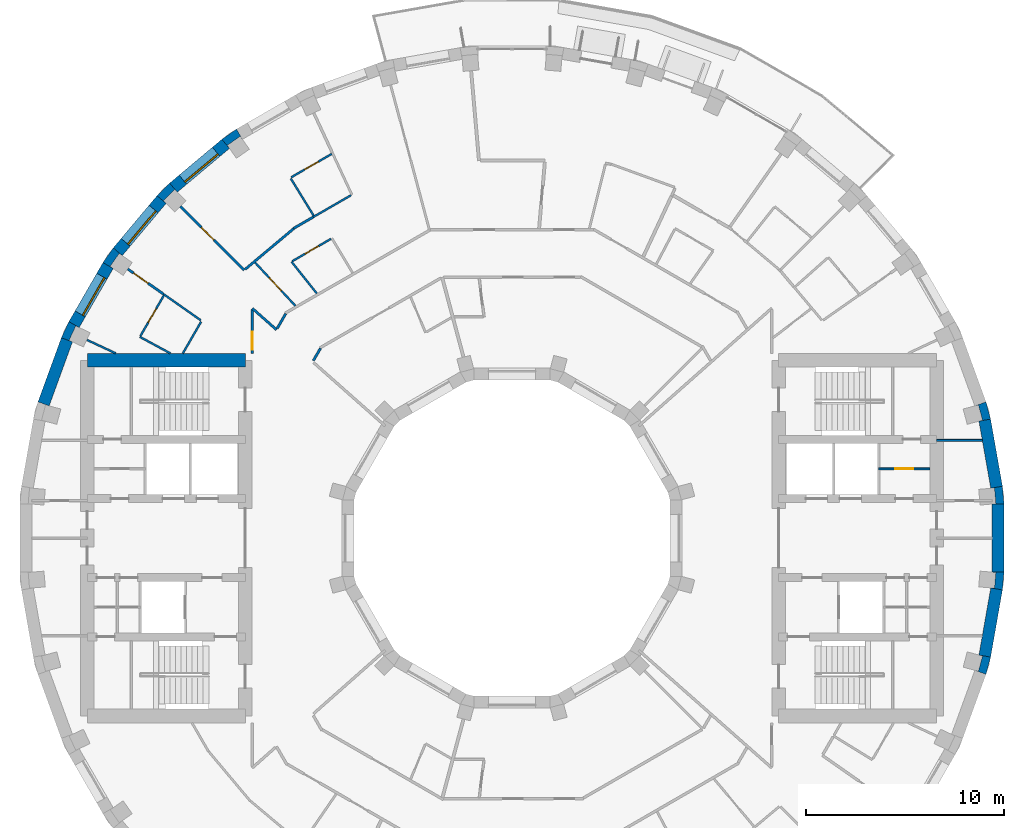
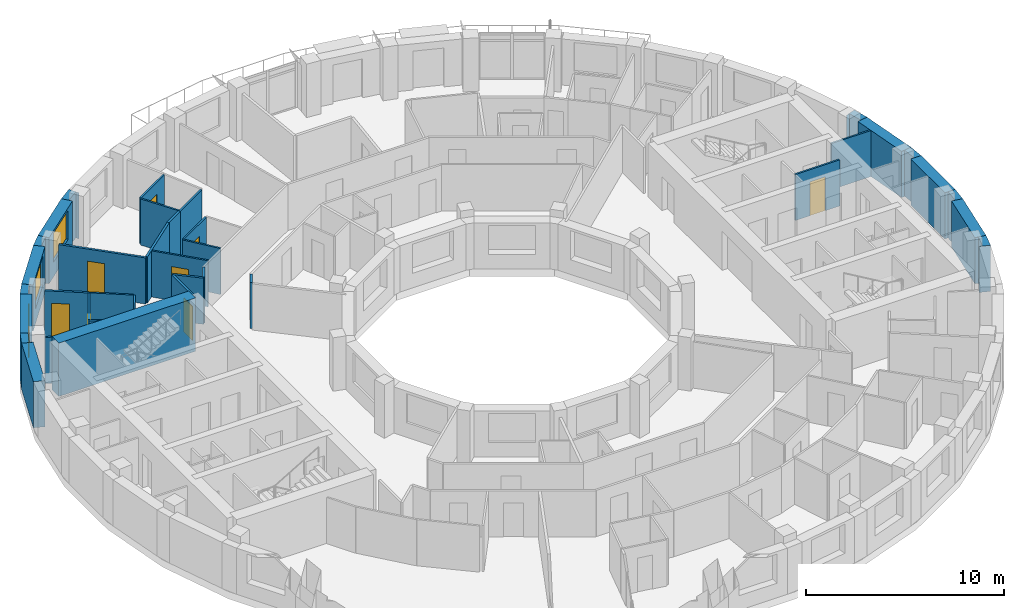
# One storey, part 9 of 13: 37 walls, 8 doors, 3 windows, 11 openings.
"""IFC4 building model written with IfcOpenShell, lengths in metres."""

import ifcopenshell
import ifcopenshell.guid

model = None  # the IFC model being written
_history = None  # IfcOwnerHistory: only IFC2X3 demands one
_inside = {}  # id of a spatial element -> (the spatial element, [elements in it])
_under = {}  # id of a project, library or spatial element -> (it, [spatial elements below it])
_declared = {}  # id of a project -> (the project, [libraries it declares])
_typed = {}  # id of a type object -> (the type object, [elements of that type])
_made_of = {}  # id of a material, layer set ... -> (it, [elements and type objects made of it])


def new_model(schema):
    """Start an empty IFC model of exactly this schema.

    Asked for "IFC4X3", IfcOpenShell would pick the latest addendum, in which some entities
    have other attributes; the version numbers below select the first issue.
    IFC2X3 requires an IfcOwnerHistory on every rooted entity: one is made here for all.
    """
    global model, _history
    if schema == "IFC4X3":
        model = ifcopenshell.file(schema_version=(4, 3, 0, 0))
    else:
        model = ifcopenshell.file(schema=schema)
    _inside.clear()
    _under.clear()
    _declared.clear()
    _typed.clear()
    _made_of.clear()
    _history = None
    if model.schema == "IFC2X3":
        org = make("IfcOrganization", Name="unknown")
        user = make(
            "IfcPersonAndOrganization",
            ThePerson=make("IfcPerson", FamilyName="unknown"),
            TheOrganization=org,
        )
        app = make(
            "IfcApplication",
            ApplicationDeveloper=org,
            Version="unknown",
            ApplicationFullName="unknown",
            ApplicationIdentifier="unknown",
        )
        _history = make(
            "IfcOwnerHistory",
            OwningUser=user,
            OwningApplication=app,
            ChangeAction="ADDED",
            CreationDate=0,
        )
    return model


def make(cls, **values):
    """One entity of the class cls with the attributes given. An attribute that is None is left unset."""
    return model.create_entity(
        cls, **{name: value for name, value in values.items() if value is not None}
    )


def rooted(cls, **values):
    """An entity with a GlobalId (a new one), such as an element, a storey or a relation."""
    return make(cls, GlobalId=ifcopenshell.guid.new(), OwnerHistory=_history, **values)


def si_unit(unit_type, name, prefix=None):
    """IfcSIUnit, for example si_unit("LENGTHUNIT", "METRE", prefix="MILLI")."""
    return make("IfcSIUnit", UnitType=unit_type, Prefix=prefix, Name=name)


def assignment(units):
    """IfcUnitAssignment: the units of a project."""
    return None if units is None else make("IfcUnitAssignment", Units=units)


def point(xyz):
    """IfcCartesianPoint."""
    return None if xyz is None else make("IfcCartesianPoint", Coordinates=xyz)


def direction(xyz):
    """IfcDirection."""
    return None if xyz is None else make("IfcDirection", DirectionRatios=xyz)


def frame(location, z_axis=None, x_axis=None):
    """IfcAxis2Placement3D, a coordinate frame: its origin and axes. An axis left out is left unset."""
    return make(
        "IfcAxis2Placement3D",
        Location=point(location),
        Axis=direction(z_axis),
        RefDirection=direction(x_axis),
    )


def frame_2d(location, x_axis=None):
    """IfcAxis2Placement2D, a coordinate frame in the plane: its origin and x axis."""
    return make(
        "IfcAxis2Placement2D", Location=point(location), RefDirection=direction(x_axis)
    )


def origin():
    """The frame at (0, 0, 0) with its axes left unset."""
    return frame((0.0, 0.0, 0.0))


def place(relative_to, where):
    """IfcLocalPlacement: puts the frame where relative to a parent placement (None: the world)."""
    return make(
        "IfcLocalPlacement", PlacementRelTo=relative_to, RelativePlacement=where
    )


def context(
    kind, dimensions, precision=None, world=None, true_north=None, identifier=None
):
    """IfcGeometricRepresentationContext, for example the 3D "Model" context."""
    return make(
        "IfcGeometricRepresentationContext",
        ContextIdentifier=identifier,
        ContextType=kind,
        CoordinateSpaceDimension=dimensions,
        Precision=precision,
        WorldCoordinateSystem=world,
        TrueNorth=true_north,
    )


def subcontext(parent, identifier, kind, view, scale=None):
    """IfcGeometricRepresentationSubContext, for example "Body" below "Model"."""
    return make(
        "IfcGeometricRepresentationSubContext",
        ContextIdentifier=identifier,
        ContextType=kind,
        ParentContext=parent,
        TargetScale=scale,
        TargetView=view,
    )


def project(units=None, contexts=None):
    """IfcProject with its units and contexts."""
    return rooted(
        "IfcProject",
        Name="project",
        RepresentationContexts=contexts,
        UnitsInContext=assignment(units),
    )


def spatial(cls, under=None, at=None, **own):
    """A site, building, storey or space (cls), placed at a placement, below another one or the project."""
    s = rooted(cls, ObjectPlacement=at, **own)
    if under is not None:
        _under.setdefault(under.id(), (under, []))[1].append(s)
    return s


def polyline(points):
    """IfcPolyline through the points."""
    return make("IfcPolyline", Points=[point(p) for p in points])


def profile(cls, at=None, kind="AREA", **sizes):
    """A parametric profile (cls). Its sizes go by their IFC names, for example OverallWidth=200.0."""
    return make(cls, ProfileType=kind, Position=at, **sizes)


def rectangle(**sizes):
    """IfcRectangleProfileDef."""
    return profile("IfcRectangleProfileDef", **sizes)


def outline(outer, holes=None, kind="AREA"):
    """IfcArbitraryClosedProfileDef: a profile drawn as a closed curve; with holes, ...WithVoids."""
    if holes is None:
        return make("IfcArbitraryClosedProfileDef", ProfileType=kind, OuterCurve=outer)
    return make(
        "IfcArbitraryProfileDefWithVoids",
        ProfileType=kind,
        OuterCurve=outer,
        InnerCurves=holes,
    )


def extrude(swept, where, along, depth):
    """IfcExtrudedAreaSolid: the profile swept, set in the frame where, extruded along a direction by depth."""
    return make(
        "IfcExtrudedAreaSolid",
        SweptArea=swept,
        Position=where,
        ExtrudedDirection=direction(along),
        Depth=depth,
    )


def shape(context_of_items, identifier, shape_type, items):
    """IfcShapeRepresentation: the items that make up one representation, for example the "Body"."""
    return make(
        "IfcShapeRepresentation",
        ContextOfItems=context_of_items,
        RepresentationIdentifier=identifier,
        RepresentationType=shape_type,
        Items=items,
    )


def material(Name=None, Category=None):
    """IfcMaterial."""
    return make("IfcMaterial", Name=Name, Category=Category)


def layer(
    of_material, thickness, ventilated=None, Name=None, Category=None, Priority=None
):
    """IfcMaterialLayer: one layer of a wall or slab, of a material (None: an air gap)."""
    return make(
        "IfcMaterialLayer",
        Material=of_material,
        LayerThickness=thickness,
        IsVentilated=ventilated,
        Name=Name,
        Category=Category,
        Priority=Priority,
    )


def layer_set(layers, Name=None):
    """IfcMaterialLayerSet."""
    return make("IfcMaterialLayerSet", MaterialLayers=layers, LayerSetName=Name)


def made_of(thing, what):
    """Note that an element or type object is made of a material, layer set ...; save() writes the relation."""
    if what is not None:
        _made_of.setdefault(what.id(), (what, []))[1].append(thing)
    return thing


def type_object(cls, material=None, **own):
    """A type object (cls), such as IfcWallType, which elements share."""
    return made_of(rooted(cls, **own), material)


def element(
    cls,
    number,
    at=None,
    inside=None,
    cuts=None,
    type_object=None,
    material=None,
    context=None,
    identifier="Body",
    shape_type=None,
    held_by="IfcProductDefinitionShape",
    body=None,
    shapes=None,
    **own,
):
    """One element of the class cls, such as IfcWall. Its Tag is "e" and its number.

    at: its placement. inside: the storey or other place that contains it. cuts: it is an
    opening in that element (IfcRelVoidsElement). A single representation is given by context,
    identifier, shape_type and body (its items); several are given by shapes. held_by: the class
    of the entity that holds the representations. save() writes the other relations.
    """
    e = rooted(cls, Tag="e%d" % number, ObjectPlacement=at, **own)
    if body is not None:
        shapes = [shape(context, identifier, shape_type, body)]
    if shapes is not None:
        e.Representation = make(held_by, Representations=shapes)
    if inside is not None:
        _inside.setdefault(inside.id(), (inside, []))[1].append(e)
    if cuts is not None:
        rooted(
            "IfcRelVoidsElement", RelatingBuildingElement=cuts, RelatedOpeningElement=e
        )
    if type_object is not None:
        _typed.setdefault(type_object.id(), (type_object, []))[1].append(e)
    return made_of(e, material)


def fill(opening, filler):
    """IfcRelFillsElement: the door or window that sits in an opening."""
    return rooted(
        "IfcRelFillsElement",
        RelatingOpeningElement=opening,
        RelatedBuildingElement=filler,
    )


def aggregate(whole, parts):
    """IfcRelAggregates: a whole, such as a stair, and the parts it consists of."""
    return rooted("IfcRelAggregates", RelatingObject=whole, RelatedObjects=parts)


def save(model, path):
    """Write the relations noted so far, then the file.

    IfcRelAggregates (storeys below a building ...), IfcRelContainedInSpatialStructure (elements
    in a storey), IfcRelDefinesByType, IfcRelAssociatesMaterial and IfcRelDeclares: one each for
    every whole, place, type object, material and project.
    """
    for whole, parts in _under.values():
        aggregate(whole, parts)
    for where, things in _inside.values():
        rooted(
            "IfcRelContainedInSpatialStructure",
            RelatedElements=things,
            RelatingStructure=where,
        )
    for kind, things in _typed.values():
        rooted("IfcRelDefinesByType", RelatedObjects=things, RelatingType=kind)
    for what, things in _made_of.values():
        rooted("IfcRelAssociatesMaterial", RelatedObjects=things, RelatingMaterial=what)
    for by, libraries in _declared.values():
        rooted("IfcRelDeclares", RelatingContext=by, RelatedDefinitions=libraries)
    model.write(path)


model = new_model("IFC4")

# Units and contexts
model_context = context("Model", 3, precision=1e-05, world=origin(), true_north=direction((0.0, 1.0)))
body_context = subcontext(model_context, "Body", "Model", "MODEL_VIEW")
ifc_project = project(units=[si_unit("LENGTHUNIT", "METRE"), si_unit("AREAUNIT", "SQUARE_METRE"), si_unit("VOLUMEUNIT", "CUBIC_METRE"), si_unit("PLANEANGLEUNIT", "RADIAN"), si_unit("MASSUNIT", "GRAM", prefix="KILO")], contexts=[model_context])

# Site, building, storey
site_placement = place(None, origin())
site = spatial("IfcSite", under=ifc_project, at=site_placement, CompositionType="ELEMENT")
building_placement = place(site_placement, origin())
building = spatial("IfcBuilding", under=site, at=building_placement, Name="Saqina Gate Tower", CompositionType="ELEMENT")
storey_placement = place(building_placement, frame((0.0, 0.0, 200.39990234375)))
storey = spatial("IfcBuildingStorey", under=building, at=storey_placement, Name="L57", CompositionType="ELEMENT", Elevation=200.39990234375)

# Walls
ifc_material_1 = material(Name="Brick masonry (buff)", Category="masonry")
wall_type_1 = type_object("IfcWallType", Name="BRICK PIER COPING BUFF", PredefinedType="SOLIDWALL", material=ifc_material_1)
wall_1_placement = place(storey_placement, origin())
element("IfcWall", 1, at=wall_1_placement, inside=storey, type_object=wall_type_1, Name="Pier cap L57 column 1", PredefinedType="SOLIDWALL", context=body_context, shape_type="SweptSolid", body=[
    extrude(outline(polyline([(24.90478515625, 1.724853515625), (24.825927734375, 2.6259765625), (24.235107421875, 2.521728515625), (24.421630859375, 2.5380859375), (24.491455078125, 1.7412109375), (24.304931640625, 1.724853515625), (24.90478515625, 1.724853515625)])), origin(), (0.0, 0.0, 1.0), 2.85009765625),
])
wall_2_placement = place(storey_placement, origin())
element("IfcWall", 2, at=wall_2_placement, inside=storey, type_object=wall_type_1, Name="Pier cap L57 column 2", PredefinedType="SOLIDWALL", context=body_context, shape_type="SweptSolid", body=[
    extrude(outline(polyline([(24.22705078125, 6.0234375), (23.992919921875, 6.897216796875), (23.428955078125, 6.69189453125), (23.610107421875, 6.740478515625), (23.81689453125, 5.967529296875), (23.635986328125, 5.919189453125), (24.22705078125, 6.0234375)])), origin(), (0.0, 0.0, 1.0), 2.85009765625),
])
wall_3_placement = place(storey_placement, origin())
element("IfcWall", 3, at=wall_3_placement, inside=storey, type_object=wall_type_1, Name="Pier cap L57 column 13", PredefinedType="SOLIDWALL", context=body_context, shape_type="SweptSolid", body=[
    extrude(outline(polyline([(-13.9462890625, 20.705810546875), (-14.687255859375, 20.18701171875), (-14.301513671875, 19.727294921875), (-14.408935546875, 19.880859375), (-13.753662109375, 20.339599609375), (-13.646240234375, 20.186279296875), (-13.9462890625, 20.705810546875)])), origin(), (0.0, 0.0, 1.0), 2.85009765625),
])
wall_4_placement = place(storey_placement, origin())
element("IfcWall", 4, at=wall_4_placement, inside=storey, type_object=wall_type_1, Name="Pier cap L57 column 14", PredefinedType="SOLIDWALL", context=body_context, shape_type="SweptSolid", body=[
    extrude(outline(polyline([(-17.969482421875, 17.329833984375), (-17.510009765625, 16.944091796875), (-17.642333984375, 17.07666015625), (-17.07666015625, 17.642333984375), (-16.944091796875, 17.510009765625), (-17.329833984375, 17.969482421875), (-17.969482421875, 17.329833984375)])), origin(), (0.0, 0.0, 1.0), 2.85009765625),
])
wall_5_placement = place(storey_placement, origin())
element("IfcWall", 5, at=wall_5_placement, inside=storey, type_object=wall_type_1, Name="Pier cap L57 column 15", PredefinedType="SOLIDWALL", context=body_context, shape_type="SweptSolid", body=[
    extrude(outline(polyline([(-20.18701171875, 14.687255859375), (-20.705810546875, 13.9462890625), (-20.186279296875, 13.646240234375), (-20.339599609375, 13.753662109375), (-19.880859375, 14.408935546875), (-19.727294921875, 14.301513671875), (-20.18701171875, 14.687255859375)])), origin(), (0.0, 0.0, 1.0), 2.85009765625),
])
wall_6_placement = place(storey_placement, origin())
element("IfcWall", 6, at=wall_6_placement, inside=storey, type_object=wall_type_1, Name="Pier cap L57 column 16", PredefinedType="SOLIDWALL", context=body_context, shape_type="SweptSolid", body=[
    extrude(outline(polyline([(-22.81298828125, 10.138916015625), (-22.249267578125, 9.93359375), (-22.4189453125, 10.0126953125), (-22.080810546875, 10.73779296875), (-21.9111328125, 10.65869140625), (-22.4306640625, 10.958740234375), (-22.81298828125, 10.138916015625)])), origin(), (0.0, 0.0, 1.0), 2.85009765625),
])
wall_7_placement = place(storey_placement, origin())
element("IfcWall", 7, at=wall_7_placement, inside=storey, type_object=wall_type_1, Name="Pier cap L57 column 35", PredefinedType="SOLIDWALL", context=body_context, shape_type="SweptSolid", body=[
    extrude(outline(polyline([(24.22705078125, -6.0234375), (23.635986328125, -5.919189453125), (23.81689453125, -5.967529296875), (23.610107421875, -6.740478515625), (23.428955078125, -6.69189453125), (23.992919921875, -6.897216796875), (24.22705078125, -6.0234375)])), origin(), (0.0, 0.0, 1.0), 2.85009765625),
])
wall_8_placement = place(storey_placement, origin())
element("IfcWall", 8, at=wall_8_placement, inside=storey, type_object=wall_type_1, Name="Pier cap L57 column 36", PredefinedType="SOLIDWALL", context=body_context, shape_type="SweptSolid", body=[
    extrude(outline(polyline([(24.825927734375, -2.6259765625), (24.90478515625, -1.724853515625), (24.304931640625, -1.724853515625), (24.491455078125, -1.7412109375), (24.421630859375, -2.5380859375), (24.235107421875, -2.521728515625), (24.825927734375, -2.6259765625)])), origin(), (0.0, 0.0, 1.0), 2.85009765625),
])
ifc_material_2 = material(Name="Gypsum board on steel studs", Category="steel")
ifc_layer_1 = layer(ifc_material_2, 0.10009765625)
ifc_layer_set_1 = layer_set([ifc_layer_1], Name="CORE PARTITION")
wall_type_2 = type_object("IfcWallType", Name="CORE PARTITION", PredefinedType="PARTITIONING", material=ifc_layer_set_1)
wall_9_placement = place(storey_placement, frame((21.5, 4.949951171875, 0.0), z_axis=(0.0, 0.0, 1.0), x_axis=(1.0, 0.0, 0.0)))
element("IfcWall", 9, at=wall_9_placement, inside=storey, type_object=wall_type_2, Name="L57-CP-E01", PredefinedType="PARTITIONING", context=body_context, shape_type="SweptSolid", body=[
    extrude(rectangle(XDim=2.306884765625, YDim=0.10009765625, at=frame_2d((1.1533203125, 0.0))), origin(), (0.0, 0.0, 1.0), 2.85009765625),
])

# Wall, opening, door
wall_10_placement = place(storey_placement, frame((18.56005859375, 3.5, 0.0), z_axis=(0.0, 0.0, 1.0), x_axis=(1.0, 0.0, 0.0)))
wall_10 = element("IfcWall", 10, at=wall_10_placement, inside=storey, type_object=wall_type_2, Name="L57-CP-E10", PredefinedType="PARTITIONING", context=body_context, shape_type="SweptSolid", body=[
    extrude(rectangle(XDim=2.58984375, YDim=0.10009765625, at=frame_2d((1.294921875, 0.0))), origin(), (0.0, 0.0, 1.0), 2.85009765625),
])
opening_1_placement = place(wall_10_placement, frame((0.844970703125, 0.0, 0.0)))
opening_1 = element("IfcOpeningElement", 11, at=opening_1_placement, cuts=wall_10, Name="Opening G17-D97", PredefinedType="OPENING", context=body_context, shape_type="SweptSolid", body=[
    extrude(rectangle(XDim=0.89990234375, YDim=2.10009765625, at=frame_2d((0.449951171875, 1.050048828125))), frame((0.0, 0.06201171875, 0.0), z_axis=(0.0, -1.0, 0.0), x_axis=(1.0, 0.0, 0.0)), (0.0, 0.0, 1.0), 0.1240234375),
])
ifc_material_3 = material(Name="Steel-framed fire door leaf, EI 60", Category="steel")
door_type_1 = type_object("IfcDoorType", Name="SERVICE ROOM DOOR 900", OperationType="SINGLE_SWING_LEFT", PredefinedType="DOOR", material=ifc_material_3)
door_1_placement = place(opening_1_placement, origin())
door_1 = element("IfcDoor", 12, at=door_1_placement, inside=storey, type_object=door_type_1, Name="L57-CD-E08", OperationType="SINGLE_SWING_RIGHT", OverallHeight=2.10009765625, OverallWidth=0.89990234375, PredefinedType="DOOR", context=body_context, shape_type="SweptSolid", body=[
    extrude(rectangle(XDim=0.89990234375, YDim=2.10009765625, at=frame_2d((0.449951171875, 1.050048828125))), frame((0.0, 0.02490234375, 0.0), z_axis=(0.0, -1.0, 0.0), x_axis=(1.0, 0.0, 0.0)), (0.0, 0.0, 1.0), 0.050048828125),
])
fill(opening_1, door_1)

# Wall, opening, window
ifc_material_4 = material(Name="Brick masonry (buff)", Category="masonry")
ifc_layer_2 = layer(ifc_material_4, 0.60009765625)
ifc_layer_set_2 = layer_set([ifc_layer_2], Name="FW-BRICK-BUFF")
wall_type_3 = type_object("IfcWallType", Name="FW-BRICK-BUFF", PredefinedType="SOLIDWALL", material=ifc_layer_set_2)
wall_11_placement = place(storey_placement, frame((-14.494384765625, 19.95703125, 0.0), z_axis=(0.0, 0.0, 1.0), x_axis=(-0.766058884809, -0.642770398358, 0.0)))
wall_11 = element("IfcWall", 13, at=wall_11_placement, inside=storey, type_object=wall_type_3, Name="Facade wall L57 facet 13", PredefinedType="SOLIDWALL", context=body_context, shape_type="SweptSolid", body=[
    extrude(rectangle(XDim=3.449462890625, YDim=0.60009765625, at=frame_2d((1.724609375, 0.0))), origin(), (0.0, 0.0, 1.0), 2.85009765625),
])
opening_2_placement = place(wall_11_placement, frame((0.625, 0.0, 0.89990234375)))
opening_2 = element("IfcOpeningElement", 14, at=opening_2_placement, cuts=wall_11, Name="Opening G17-W07", PredefinedType="OPENING", context=body_context, shape_type="SweptSolid", body=[
    extrude(rectangle(XDim=2.199951171875, YDim=1.800048828125, at=frame_2d((1.10009765625, 0.89990234375))), frame((0.0, 0.31201171875, 0.0), z_axis=(0.0, -1.0, 0.0), x_axis=(1.0, 0.0, 0.0)), (0.0, 0.0, 1.0), 0.6240234375),
])
ifc_material_5 = material(Name="Aluminium glazing", Category="aluminium")
window_type = type_object("IfcWindowType", Name="WN-C", PartitioningType="SINGLE_PANEL", PredefinedType="WINDOW", material=ifc_material_5)
window_1_placement = place(opening_2_placement, origin())
window_1 = element("IfcWindow", 15, at=window_1_placement, inside=storey, type_object=window_type, Name="Window L57 facet 13", OverallHeight=1.800048828125, OverallWidth=2.199951171875, PartitioningType="SINGLE_PANEL", PredefinedType="WINDOW", context=body_context, shape_type="SweptSolid", body=[
    extrude(rectangle(XDim=2.199951171875, YDim=1.800048828125, at=frame_2d((1.10009765625, 0.89990234375))), frame((0.0, 0.179931640625, 0.0), z_axis=(0.0, -1.0, 0.0), x_axis=(1.0, 0.0, 0.0)), (0.0, 0.0, 1.0), 0.06005859375),
])
fill(opening_2, window_1)

wall_12_placement = place(storey_placement, frame((-17.73974609375, 17.136962890625, 0.0), z_axis=(0.0, 0.0, 1.0), x_axis=(-0.642770398358, -0.766058884809, 0.0)))
wall_12 = element("IfcWall", 16, at=wall_12_placement, inside=storey, type_object=wall_type_3, Name="Facade wall L57 facet 14", PredefinedType="SOLIDWALL", context=body_context, shape_type="SweptSolid", body=[
    extrude(rectangle(XDim=3.449462890625, YDim=0.60009765625, at=frame_2d((1.724609375, 0.0))), origin(), (0.0, 0.0, 1.0), 2.85009765625),
])
opening_3_placement = place(wall_12_placement, frame((0.625, 0.0, 0.89990234375)))
opening_3 = element("IfcOpeningElement", 17, at=opening_3_placement, cuts=wall_12, Name="Opening G17-W08", PredefinedType="OPENING", context=body_context, shape_type="SweptSolid", body=[
    extrude(rectangle(XDim=2.199951171875, YDim=1.800048828125, at=frame_2d((1.10009765625, 0.89990234375))), frame((0.0, 0.31201171875, 0.0), z_axis=(0.0, -1.0, 0.0), x_axis=(1.0, 0.0, 0.0)), (0.0, 0.0, 1.0), 0.6240234375),
])
window_2_placement = place(opening_3_placement, origin())
window_2 = element("IfcWindow", 18, at=window_2_placement, inside=storey, type_object=window_type, Name="Window L57 facet 14", OverallHeight=1.800048828125, OverallWidth=2.199951171875, PartitioningType="SINGLE_PANEL", PredefinedType="WINDOW", context=body_context, shape_type="SweptSolid", body=[
    extrude(rectangle(XDim=2.199951171875, YDim=1.800048828125, at=frame_2d((1.10009765625, 0.89990234375))), frame((0.0, 0.179931640625, 0.0), z_axis=(0.0, -1.0, 0.0), x_axis=(1.0, 0.0, 0.0)), (0.0, 0.0, 1.0), 0.06005859375),
])
fill(opening_3, window_2)

wall_13_placement = place(storey_placement, frame((-20.446044921875, 13.796142578125, 0.0), z_axis=(0.0, 0.0, 1.0), x_axis=(-0.499998129301, -0.86602648383, 0.0)))
wall_13 = element("IfcWall", 19, at=wall_13_placement, inside=storey, type_object=wall_type_3, Name="Facade wall L57 facet 15", PredefinedType="SOLIDWALL", context=body_context, shape_type="SweptSolid", body=[
    extrude(rectangle(XDim=3.44970703125, YDim=0.60009765625, at=frame_2d((1.724853515625, 0.0))), origin(), (0.0, 0.0, 1.0), 2.85009765625),
])
opening_4_placement = place(wall_13_placement, frame((0.625, 0.0, 0.89990234375)))
opening_4 = element("IfcOpeningElement", 20, at=opening_4_placement, cuts=wall_13, Name="Opening G17-W09", PredefinedType="OPENING", context=body_context, shape_type="SweptSolid", body=[
    extrude(rectangle(XDim=2.199951171875, YDim=1.800048828125, at=frame_2d((1.10009765625, 0.89990234375))), frame((0.0, 0.31201171875, 0.0), z_axis=(0.0, -1.0, 0.0), x_axis=(1.0, 0.0, 0.0)), (0.0, 0.0, 1.0), 0.6240234375),
])
window_3_placement = place(opening_4_placement, origin())
window_3 = element("IfcWindow", 21, at=window_3_placement, inside=storey, type_object=window_type, Name="Window L57 facet 15", OverallHeight=1.800048828125, OverallWidth=2.199951171875, PartitioningType="SINGLE_PANEL", PredefinedType="WINDOW", context=body_context, shape_type="SweptSolid", body=[
    extrude(rectangle(XDim=2.199951171875, YDim=1.800048828125, at=frame_2d((1.10009765625, 0.89990234375))), frame((0.0, 0.179931640625, 0.0), z_axis=(0.0, -1.0, 0.0), x_axis=(1.0, 0.0, 0.0)), (0.0, 0.0, 1.0), 0.06005859375),
])
fill(opening_4, window_3)

# Walls
ifc_material_6 = material(Name="Glazed ceramic tile", Category="ceramic")
ifc_layer_3 = layer(ifc_material_6, 0.60009765625)
ifc_layer_set_3 = layer_set([ifc_layer_3], Name="FW-TILE")
wall_type_4 = type_object("IfcWallType", Name="FW-TILE", PredefinedType="SOLIDWALL", material=ifc_layer_set_3)
for number, where, z_axis, x_axis, name in (
    (22, (-22.531005859375, 10.0361328125, 0.0), (0.0, 0.0, 1.0), (-0.342032843455, -0.93968799822, 0.0), "Facade wall L57 facet 16"),
    (23, (24.60498046875, -1.724853515625, 0.0), (0.0, 0.0, 1.0), (0.0, 1.0, 0.0), "Facade wall L57 facet 36"),
):
    element("IfcWall", number, at=place(storey_placement, frame(where, z_axis=z_axis, x_axis=x_axis)), inside=storey, type_object=wall_type_4, Name=name, PredefinedType="SOLIDWALL", context=body_context, shape_type="SweptSolid", body=[
        extrude(rectangle(XDim=3.44970703125, YDim=0.60009765625, at=frame_2d((1.724853515625, 0.0))), origin(), (0.0, 0.0, 1.0), 2.85009765625),
    ])
ifc_material_7 = material(Name="Glazed ceramic tile (dark blue)", Category="ceramic")
ifc_layer_4 = layer(ifc_material_7, 0.60009765625)
ifc_layer_set_4 = layer_set([ifc_layer_4], Name="FW-TILE-CB")
wall_type_5 = type_object("IfcWallType", Name="FW-TILE-CB", PredefinedType="SOLIDWALL", material=ifc_layer_set_4)
wall_14_placement = place(storey_placement, frame((24.530517578125, 2.573974609375, 0.0), z_axis=(0.0, 0.0, 1.0), x_axis=(-0.173607684551, 0.984814892183, 0.0)))
element("IfcWall", 24, at=wall_14_placement, inside=storey, type_object=wall_type_5, Name="Facade wall L57 facet 1", PredefinedType="SOLIDWALL", context=body_context, shape_type="SweptSolid", body=[
    extrude(rectangle(XDim=3.44970703125, YDim=0.60009765625, at=frame_2d((1.724853515625, 0.0))), origin(), (0.0, 0.0, 1.0), 2.85009765625),
])
ifc_material_8 = material(Name="Glazed ceramic tile (white)", Category="ceramic")
ifc_layer_5 = layer(ifc_material_8, 0.60009765625)
ifc_layer_set_5 = layer_set([ifc_layer_5], Name="FW-TILE-WH")
wall_type_6 = type_object("IfcWallType", Name="FW-TILE-WH", PredefinedType="SOLIDWALL", material=ifc_layer_set_5)
wall_15_placement = place(storey_placement, frame((23.931640625, -5.97119140625, 0.0), z_axis=(0.0, 0.0, 1.0), x_axis=(0.173607684551, 0.984814892183, 0.0)))
element("IfcWall", 25, at=wall_15_placement, inside=storey, type_object=wall_type_6, Name="Facade wall L57 facet 35", PredefinedType="SOLIDWALL", context=body_context, shape_type="SweptSolid", body=[
    extrude(rectangle(XDim=3.44970703125, YDim=0.60009765625, at=frame_2d((1.724853515625, 0.0))), origin(), (0.0, 0.0, 1.0), 2.85009765625),
])
ifc_material_9 = material(Name="Gypsum board on steel studs, 100 mm", Category="steel")
ifc_layer_6 = layer(ifc_material_9, 0.10009765625)
ifc_layer_set_6 = layer_set([ifc_layer_6], Name="PARTITION 100")
wall_type_7 = type_object("IfcWallType", Name="PARTITION 100", PredefinedType="PARTITIONING", material=ifc_layer_set_6)
wall_16_placement = place(storey_placement, frame((-11.19287109375, 18.19482421875, 0.0), z_axis=(0.0, 0.0, 1.0), x_axis=(0.524029299745, -0.851700236591, 0.0)))
element("IfcWall", 26, at=wall_16_placement, inside=storey, type_object=wall_type_7, Name="PARTITION PW3-12", PredefinedType="PARTITIONING", context=body_context, shape_type="SweptSolid", body=[
    extrude(rectangle(XDim=2.199462890625, YDim=0.10009765625, at=frame_2d((1.099609375, 0.0))), origin(), (0.0, 0.0, 1.0), 2.85009765625),
])
wall_17_placement = place(storey_placement, frame((-11.162109375, 13.99169921875, 0.0), z_axis=(0.0, 0.0, 1.0), x_axis=(0.62359563311, -0.781747073142, 0.0)))
element("IfcWall", 27, at=wall_17_placement, inside=storey, type_object=wall_type_7, Name="PARTITION PW3-14", PredefinedType="PARTITIONING", context=body_context, shape_type="SweptSolid", body=[
    extrude(rectangle(XDim=2.059326171875, YDim=0.10009765625, at=frame_2d((1.02978515625, 0.0))), origin(), (0.0, 0.0, 1.0), 2.85009765625),
])

# Wall, opening, door
wall_18_placement = place(storey_placement, frame((-13.00439453125, 13.9462890625, 0.0), z_axis=(0.0, 0.0, 1.0), x_axis=(0.681856446627, -0.731486012302, 0.0)))
wall_18 = element("IfcWall", 28, at=wall_18_placement, inside=storey, type_object=wall_type_7, Name="PARTITION PW3-20", PredefinedType="PARTITIONING", context=body_context, shape_type="SweptSolid", body=[
    extrude(rectangle(XDim=2.995849609375, YDim=0.10009765625, at=frame_2d((1.498046875, 0.0))), origin(), (0.0, 0.0, 1.0), 2.85009765625),
])
opening_5_placement = place(wall_18_placement, frame((1.048095703125, 0.0, 0.0)))
opening_5 = element("IfcOpeningElement", 29, at=opening_5_placement, cuts=wall_18, Name="Opening G17-D22", PredefinedType="OPENING", context=body_context, shape_type="SweptSolid", body=[
    extrude(rectangle(XDim=0.89990234375, YDim=2.10009765625, at=frame_2d((0.449951171875, 1.050048828125))), frame((0.0, 0.06201171875, 0.0), z_axis=(0.0, -1.0, 0.0), x_axis=(1.0, 0.0, 0.0)), (0.0, 0.0, 1.0), 0.1240234375),
])
ifc_material_10 = material(Name="Timber door leaf, 900 mm", Category="wood")
door_type_2 = type_object("IfcDoorType", Name="DOOR 900 TIMBER", OperationType="SINGLE_SWING_LEFT", PredefinedType="DOOR", material=ifc_material_10)
door_2_placement = place(opening_5_placement, origin())
door_2 = element("IfcDoor", 30, at=door_2_placement, inside=storey, type_object=door_type_2, Name="DOOR G17-D22", OperationType="SINGLE_SWING_RIGHT", OverallHeight=2.10009765625, OverallWidth=0.89990234375, PredefinedType="DOOR", context=body_context, shape_type="SweptSolid", body=[
    extrude(rectangle(XDim=0.89990234375, YDim=2.10009765625, at=frame_2d((0.449951171875, 1.050048828125))), frame((0.0, 0.02490234375, 0.0), z_axis=(0.0, -1.0, 0.0), x_axis=(1.0, 0.0, 0.0)), (0.0, 0.0, 1.0), 0.050048828125),
])
fill(opening_5, door_2)

# Walls
wall_19_placement = place(storey_placement, frame((-17.641845703125, 12.352783203125, 0.0), z_axis=(0.0, 0.0, 1.0), x_axis=(0.818197075576, -0.57493786231, 0.0)))
element("IfcWall", 31, at=wall_19_placement, inside=storey, type_object=wall_type_7, Name="PARTITION PW3-26", PredefinedType="PARTITIONING", context=body_context, shape_type="SweptSolid", body=[
    extrude(rectangle(XDim=2.308349609375, YDim=0.10009765625, at=frame_2d((1.154296875, 0.0))), origin(), (0.0, 0.0, 1.0), 2.85009765625),
])
wall_20_placement = place(storey_placement, frame((-18.8359375, 10.18505859375, 0.0), z_axis=(0.0, 0.0, 1.0), x_axis=(0.879737947055, -0.475458877833, 0.0)))
element("IfcWall", 32, at=wall_20_placement, inside=storey, type_object=wall_type_7, Name="PARTITION PW3-30", PredefinedType="PARTITIONING", context=body_context, shape_type="SweptSolid", body=[
    extrude(rectangle(XDim=1.756103515625, YDim=0.10009765625, at=frame_2d((0.8779296875, 0.0))), origin(), (0.0, 0.0, 1.0), 2.85009765625),
])
wall_21_placement = place(storey_placement, frame((-21.515625, 10.032958984375, 0.0), z_axis=(0.0, 0.0, 1.0), x_axis=(0.906329754533, -0.422571149096, 0.0)))
element("IfcWall", 33, at=wall_21_placement, inside=storey, type_object=wall_type_7, Name="PARTITION PW3-31", PredefinedType="PARTITIONING", context=body_context, shape_type="SweptSolid", body=[
    extrude(rectangle(XDim=1.615966796875, YDim=0.10009765625, at=frame_2d((0.80810546875, 0.0))), origin(), (0.0, 0.0, 1.0), 2.85009765625),
])

# Wall, opening, door
wall_22_placement = place(storey_placement, frame((-11.11669921875, 14.019775390625, 0.0), z_axis=(0.0, 0.0, 1.0), x_axis=(0.866084712978, 0.49989725939, 0.0)))
wall_22 = element("IfcWall", 34, at=wall_22_placement, inside=storey, type_object=wall_type_7, Name="PARTITION PW3-44", PredefinedType="PARTITIONING", context=body_context, shape_type="SweptSolid", body=[
    extrude(rectangle(XDim=2.2568359375, YDim=0.10009765625, at=frame_2d((1.12841796875, 0.0))), origin(), (0.0, 0.0, 1.0), 2.85009765625),
])
opening_6_placement = place(wall_22_placement, frame((0.728515625, 0.0, 0.0)))
opening_6 = element("IfcOpeningElement", 35, at=opening_6_placement, cuts=wall_22, Name="Opening G17-D21", PredefinedType="OPENING", context=body_context, shape_type="SweptSolid", body=[
    extrude(rectangle(XDim=0.800048828125, YDim=2.10009765625, at=frame_2d((0.39990234375, 1.050048828125))), frame((0.0, 0.06201171875, 0.0), z_axis=(0.0, -1.0, 0.0), x_axis=(1.0, 0.0, 0.0)), (0.0, 0.0, 1.0), 0.1240234375),
])
ifc_material_11 = material(Name="Timber door leaf, 800 mm", Category="wood")
door_type_3 = type_object("IfcDoorType", Name="DOOR 800 TIMBER", OperationType="SINGLE_SWING_LEFT", PredefinedType="DOOR", material=ifc_material_11)
door_3_placement = place(opening_6_placement, origin())
door_3 = element("IfcDoor", 36, at=door_3_placement, inside=storey, type_object=door_type_3, Name="DOOR G17-D21", OperationType="SINGLE_SWING_LEFT", OverallHeight=2.10009765625, OverallWidth=0.800048828125, PredefinedType="DOOR", context=body_context, shape_type="SweptSolid", body=[
    extrude(rectangle(XDim=0.800048828125, YDim=2.10009765625, at=frame_2d((0.39990234375, 1.050048828125))), frame((0.0, 0.02490234375, 0.0), z_axis=(0.0, -1.0, 0.0), x_axis=(1.0, 0.0, 0.0)), (0.0, 0.0, 1.0), 0.050048828125),
])
fill(opening_6, door_3)

# Wall
wall_23_placement = place(storey_placement, frame((-10.058349609375, 16.25341796875, 0.0), z_axis=(0.0, 0.0, 1.0), x_axis=(0.866039875853, 0.499974932805, 0.0)))
element("IfcWall", 37, at=wall_23_placement, inside=storey, type_object=wall_type_7, Name="PARTITION PW3-45", PredefinedType="PARTITIONING", context=body_context, shape_type="SweptSolid", body=[
    extrude(rectangle(XDim=2.2041015625, YDim=0.10009765625, at=frame_2d((1.10205078125, 0.0))), origin(), (0.0, 0.0, 1.0), 2.85009765625),
])

# Wall, opening, door
wall_24_placement = place(storey_placement, frame((-11.1767578125, 18.263916015625, 0.0), z_axis=(0.0, 0.0, 1.0), x_axis=(0.866180437728, 0.49973137714, 0.0)))
wall_24 = element("IfcWall", 38, at=wall_24_placement, inside=storey, type_object=wall_type_7, Name="PARTITION PW3-46", PredefinedType="PARTITIONING", context=body_context, shape_type="SweptSolid", body=[
    extrude(rectangle(XDim=2.368408203125, YDim=0.10009765625, at=frame_2d((1.18408203125, 0.0))), origin(), (0.0, 0.0, 1.0), 2.85009765625),
])
opening_7_placement = place(wall_24_placement, frame((0.78515625, 0.0, 0.0)))
opening_7 = element("IfcOpeningElement", 39, at=opening_7_placement, cuts=wall_24, Name="Opening G17-D19", PredefinedType="OPENING", context=body_context, shape_type="SweptSolid", body=[
    extrude(rectangle(XDim=0.800048828125, YDim=2.10009765625, at=frame_2d((0.39990234375, 1.050048828125))), frame((0.0, 0.06201171875, 0.0), z_axis=(0.0, -1.0, 0.0), x_axis=(1.0, 0.0, 0.0)), (0.0, 0.0, 1.0), 0.1240234375),
])
door_4_placement = place(opening_7_placement, origin())
door_4 = element("IfcDoor", 40, at=door_4_placement, inside=storey, type_object=door_type_3, Name="DOOR G17-D19", OperationType="SINGLE_SWING_RIGHT", OverallHeight=2.10009765625, OverallWidth=0.800048828125, PredefinedType="DOOR", context=body_context, shape_type="SweptSolid", body=[
    extrude(rectangle(XDim=0.800048828125, YDim=2.10009765625, at=frame_2d((0.39990234375, 1.050048828125))), frame((0.0, 0.02490234375, 0.0), z_axis=(0.0, -1.0, 0.0), x_axis=(1.0, 0.0, 0.0)), (0.0, 0.0, 1.0), 0.050048828125),
])
fill(opening_7, door_4)

# Wall
wall_25_placement = place(storey_placement, frame((-16.662109375, 9.35009765625, 0.0), z_axis=(0.0, 0.0, 1.0), x_axis=(0.499752869805, 0.866168037463, 0.0)))
element("IfcWall", 41, at=wall_25_placement, inside=storey, type_object=wall_type_7, Name="PARTITION PW3-59", PredefinedType="PARTITIONING", context=body_context, shape_type="SweptSolid", body=[
    extrude(rectangle(XDim=1.85302734375, YDim=0.10009765625, at=frame_2d((0.926513671875, 0.0))), origin(), (0.0, 0.0, 1.0), 2.85009765625),
])

# Wall, opening, door
wall_26_placement = place(storey_placement, frame((-18.81103515625, 10.228271484375, 0.0), z_axis=(0.0, 0.0, 1.0), x_axis=(0.500061319399, 0.865989998118, 0.0)))
wall_26 = element("IfcWall", 42, at=wall_26_placement, inside=storey, type_object=wall_type_7, Name="PARTITION PW3-60", PredefinedType="PARTITIONING", context=body_context, shape_type="SweptSolid", body=[
    extrude(rectangle(XDim=2.369873046875, YDim=0.10009765625, at=frame_2d((1.18505859375, 0.0))), origin(), (0.0, 0.0, 1.0), 2.85009765625),
])
opening_8_placement = place(wall_26_placement, frame((0.784912109375, 0.0, 0.0)))
opening_8 = element("IfcOpeningElement", 43, at=opening_8_placement, cuts=wall_26, Name="Opening G17-D26", PredefinedType="OPENING", context=body_context, shape_type="SweptSolid", body=[
    extrude(rectangle(XDim=0.800048828125, YDim=2.10009765625, at=frame_2d((0.39990234375, 1.050048828125))), frame((0.0, 0.06201171875, 0.0), z_axis=(0.0, -1.0, 0.0), x_axis=(1.0, 0.0, 0.0)), (0.0, 0.0, 1.0), 0.1240234375),
])
door_5_placement = place(opening_8_placement, origin())
door_5 = element("IfcDoor", 44, at=door_5_placement, inside=storey, type_object=door_type_3, Name="DOOR G17-D26", OperationType="SINGLE_SWING_RIGHT", OverallHeight=2.10009765625, OverallWidth=0.800048828125, PredefinedType="DOOR", context=body_context, shape_type="SweptSolid", body=[
    extrude(rectangle(XDim=0.800048828125, YDim=2.10009765625, at=frame_2d((0.39990234375, 1.050048828125))), frame((0.0, 0.02490234375, 0.0), z_axis=(0.0, -1.0, 0.0), x_axis=(1.0, 0.0, 0.0)), (0.0, 0.0, 1.0), 0.050048828125),
])
fill(opening_8, door_5)

ifc_material_12 = material(Name="Gypsum board on steel studs, 125 mm, fire rated", Category="steel")
ifc_layer_7 = layer(ifc_material_12, 0.125)
ifc_layer_set_7 = layer_set([ifc_layer_7], Name="PARTITION EI 30 125")
wall_type_8 = type_object("IfcWallType", Name="PARTITION EI 30 125", PredefinedType="PARTITIONING", material=ifc_layer_set_7)
wall_27_placement = place(storey_placement, frame((-16.786865234375, 16.78662109375, 0.0), z_axis=(0.0, 0.0, 1.0), x_axis=(0.707026475293, -0.707187077961, 0.0)))
wall_27 = element("IfcWall", 45, at=wall_27_placement, inside=storey, type_object=wall_type_8, Name="PARTITION PW1-08", PredefinedType="PARTITIONING", context=body_context, shape_type="SweptSolid", body=[
    extrude(rectangle(XDim=4.560546875, YDim=0.125, at=frame_2d((2.2802734375, 0.0))), origin(), (0.0, 0.0, 1.0), 2.85009765625),
])
opening_9_placement = place(wall_27_placement, frame((1.501953125, 0.0, 0.0)))
opening_9 = element("IfcOpeningElement", 46, at=opening_9_placement, cuts=wall_27, Name="Opening G17-D23", PredefinedType="OPENING", context=body_context, shape_type="SweptSolid", body=[
    extrude(rectangle(XDim=0.89990234375, YDim=2.10009765625, at=frame_2d((0.449951171875, 1.050048828125))), frame((0.0, 0.074462890625, 0.0), z_axis=(0.0, -1.0, 0.0), x_axis=(1.0, 0.0, 0.0)), (0.0, 0.0, 1.0), 0.14892578125),
])
ifc_material_13 = material(Name="Fire door leaf EI 30, 900 mm")
door_type_4 = type_object("IfcDoorType", Name="DOOR 900 EI 30", OperationType="SINGLE_SWING_LEFT", PredefinedType="DOOR", material=ifc_material_13)
door_6_placement = place(opening_9_placement, origin())
door_6 = element("IfcDoor", 47, at=door_6_placement, inside=storey, type_object=door_type_4, Name="DOOR G17-D23", OperationType="SINGLE_SWING_LEFT", OverallHeight=2.10009765625, OverallWidth=0.89990234375, PredefinedType="DOOR", context=body_context, shape_type="SweptSolid", body=[
    extrude(rectangle(XDim=0.89990234375, YDim=2.10009765625, at=frame_2d((0.449951171875, 1.050048828125))), frame((0.0, 0.02490234375, 0.0), z_axis=(0.0, -1.0, 0.0), x_axis=(1.0, 0.0, 0.0)), (0.0, 0.0, 1.0), 0.050048828125),
])
fill(opening_9, door_6)

# Wall
wall_28_placement = place(storey_placement, frame((-13.14697265625, 11.63134765625, 0.0), z_axis=(0.0, 0.0, 1.0), x_axis=(0.748973743587, -0.66259967659, 0.0)))
element("IfcWall", 48, at=wall_28_placement, inside=storey, type_object=wall_type_8, Name="PARTITION PW1-10", PredefinedType="PARTITIONING", context=body_context, shape_type="SweptSolid", body=[
    extrude(rectangle(XDim=1.6337890625, YDim=0.125, at=frame_2d((0.81689453125, 0.0))), origin(), (0.0, 0.0, 1.0), 2.85009765625),
])

# Wall, opening, door
wall_29_placement = place(storey_placement, frame((-19.4462890625, 13.6171875, 0.0), z_axis=(0.0, 0.0, 1.0), x_axis=(0.818955929984, -0.573856414746, 0.0)))
wall_29 = element("IfcWall", 49, at=wall_29_placement, inside=storey, type_object=wall_type_8, Name="PARTITION PW1-13", PredefinedType="PARTITIONING", context=body_context, shape_type="SweptSolid", body=[
    extrude(rectangle(XDim=2.203369140625, YDim=0.125, at=frame_2d((1.1015625, 0.0))), origin(), (0.0, 0.0, 1.0), 2.85009765625),
])
opening_10_placement = place(wall_29_placement, frame((0.349365234375, 0.0, 0.0)))
opening_10 = element("IfcOpeningElement", 50, at=opening_10_placement, cuts=wall_29, Name="Opening G17-D25", PredefinedType="OPENING", context=body_context, shape_type="SweptSolid", body=[
    extrude(rectangle(XDim=0.89990234375, YDim=2.10009765625, at=frame_2d((0.449951171875, 1.050048828125))), frame((0.0, 0.074462890625, 0.0), z_axis=(0.0, -1.0, 0.0), x_axis=(1.0, 0.0, 0.0)), (0.0, 0.0, 1.0), 0.14892578125),
])
door_7_placement = place(opening_10_placement, origin())
door_7 = element("IfcDoor", 51, at=door_7_placement, inside=storey, type_object=door_type_4, Name="DOOR G17-D25", OperationType="SINGLE_SWING_LEFT", OverallHeight=2.10009765625, OverallWidth=0.89990234375, PredefinedType="DOOR", context=body_context, shape_type="SweptSolid", body=[
    extrude(rectangle(XDim=0.89990234375, YDim=2.10009765625, at=frame_2d((0.449951171875, 1.050048828125))), frame((0.0, 0.02490234375, 0.0), z_axis=(0.0, -1.0, 0.0), x_axis=(1.0, 0.0, 0.0)), (0.0, 0.0, 1.0), 0.050048828125),
])
fill(opening_10, door_7)

# Walls
wall_30_placement = place(storey_placement, frame((-11.057373046875, 15.677001953125, 0.0), z_axis=(0.0, 0.0, 1.0), x_axis=(0.866308888763, 0.499508667843, 0.0)))
element("IfcWall", 52, at=wall_30_placement, inside=storey, type_object=wall_type_8, Name="PARTITION PW1-32", PredefinedType="PARTITIONING", context=body_context, shape_type="SweptSolid", body=[
    extrude(rectangle(XDim=1.153564453125, YDim=0.125, at=frame_2d((0.57666015625, 0.0))), origin(), (0.0, 0.0, 1.0), 2.85009765625),
])
wall_31_placement = place(storey_placement, frame((-13.51318359375, 13.601318359375, 0.0), z_axis=(0.0, 0.0, 1.0), x_axis=(0.766376010837, 0.642392255567, 0.0)))
element("IfcWall", 53, at=wall_31_placement, inside=storey, type_object=wall_type_8, Name="PARTITION PW1-35", PredefinedType="PARTITIONING", context=body_context, shape_type="SweptSolid", body=[
    extrude(rectangle(XDim=3.215576171875, YDim=0.125, at=frame_2d((1.60791015625, 0.0))), origin(), (0.0, 0.0, 1.0), 2.85009765625),
])
wall_32_placement = place(storey_placement, frame((-10.0576171875, 8.980224609375, 0.0), z_axis=(0.0, 0.0, 1.0), x_axis=(0.500333617031, 0.865832704204, 0.0)))
element("IfcWall", 54, at=wall_32_placement, inside=storey, type_object=wall_type_8, Name="PARTITION PW1-43", PredefinedType="PARTITIONING", context=body_context, shape_type="SweptSolid", body=[
    extrude(rectangle(XDim=0.72607421875, YDim=0.125, at=frame_2d((0.363037109375, 0.0))), origin(), (0.0, 0.0, 1.0), 2.85009765625),
])
wall_33_placement = place(storey_placement, frame((-11.89111328125, 10.60400390625, 0.0), z_axis=(0.0, 0.0, 1.0), x_axis=(0.500018690203, 0.866014612722, 0.0)))
element("IfcWall", 55, at=wall_33_placement, inside=storey, type_object=wall_type_8, Name="PARTITION PW1-44", PredefinedType="PARTITIONING", context=body_context, shape_type="SweptSolid", body=[
    extrude(rectangle(XDim=0.8798828125, YDim=0.125, at=frame_2d((0.43994140625, 0.0))), origin(), (0.0, 0.0, 1.0), 2.85009765625),
])

# Wall, opening, door
wall_34_placement = place(storey_placement, frame((-13.14990234375, 9.35107421875, 0.0), z_axis=(0.0, 0.0, 1.0), x_axis=(0.0, 1.0, 0.0)))
wall_34 = element("IfcWall", 56, at=wall_34_placement, inside=storey, type_object=wall_type_8, Name="PARTITION PW1-49", PredefinedType="PARTITIONING", context=body_context, shape_type="SweptSolid", body=[
    extrude(rectangle(XDim=2.21630859375, YDim=0.125, at=frame_2d((1.108154296875, 0.0))), origin(), (0.0, 0.0, 1.0), 2.85009765625),
])
opening_11_placement = place(wall_34_placement, frame((0.189453125, 0.0, 0.0)))
opening_11 = element("IfcOpeningElement", 57, at=opening_11_placement, cuts=wall_34, Name="Opening G17-D24", PredefinedType="OPENING", context=body_context, shape_type="SweptSolid", body=[
    extrude(rectangle(XDim=0.89990234375, YDim=2.10009765625, at=frame_2d((0.449951171875, 1.050048828125))), frame((0.0, 0.074462890625, 0.0), z_axis=(0.0, -1.0, 0.0), x_axis=(1.0, 0.0, 0.0)), (0.0, 0.0, 1.0), 0.14892578125),
])
door_8_placement = place(opening_11_placement, origin())
door_8 = element("IfcDoor", 58, at=door_8_placement, inside=storey, type_object=door_type_4, Name="DOOR G17-D24", OperationType="SINGLE_SWING_LEFT", OverallHeight=2.10009765625, OverallWidth=0.89990234375, PredefinedType="DOOR", context=body_context, shape_type="SweptSolid", body=[
    extrude(rectangle(XDim=0.89990234375, YDim=2.10009765625, at=frame_2d((0.449951171875, 1.050048828125))), frame((0.0, 0.02490234375, 0.0), z_axis=(0.0, -1.0, 0.0), x_axis=(1.0, 0.0, 0.0)), (0.0, 0.0, 1.0), 0.050048828125),
])
fill(opening_11, door_8)

# Wall
ifc_material_14 = material(Name="Concrete C60/75", Category="concrete")
ifc_layer_8 = layer(ifc_material_14, 0.699951171875)
ifc_layer_set_8 = layer_set([ifc_layer_8], Name="Concrete C60/75")
wall_type_9 = type_object("IfcWallType", Name="STR-CORE WALL-C-O", PredefinedType="SHEAR", material=ifc_layer_set_8)
wall_35_placement = place(storey_placement, frame((-13.5, 9.0, 0.0), z_axis=(0.0, 0.0, 1.0), x_axis=(-1.0, 0.0, 0.0)))
element("IfcWall", 59, at=wall_35_placement, inside=storey, type_object=wall_type_9, Name="CORE WALL L57 W-NE", PredefinedType="SHEAR", context=body_context, shape_type="SweptSolid", body=[
    extrude(rectangle(XDim=8.0, YDim=0.699951171875, at=frame_2d((4.0, 0.0))), origin(), (0.0, 0.0, 1.0), 3.300048828125),
])

save(model, "model.ifc")
